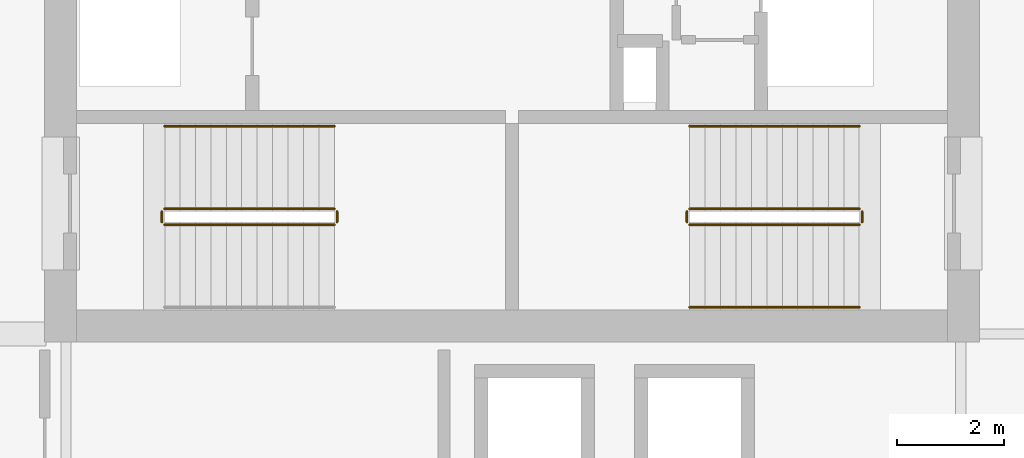
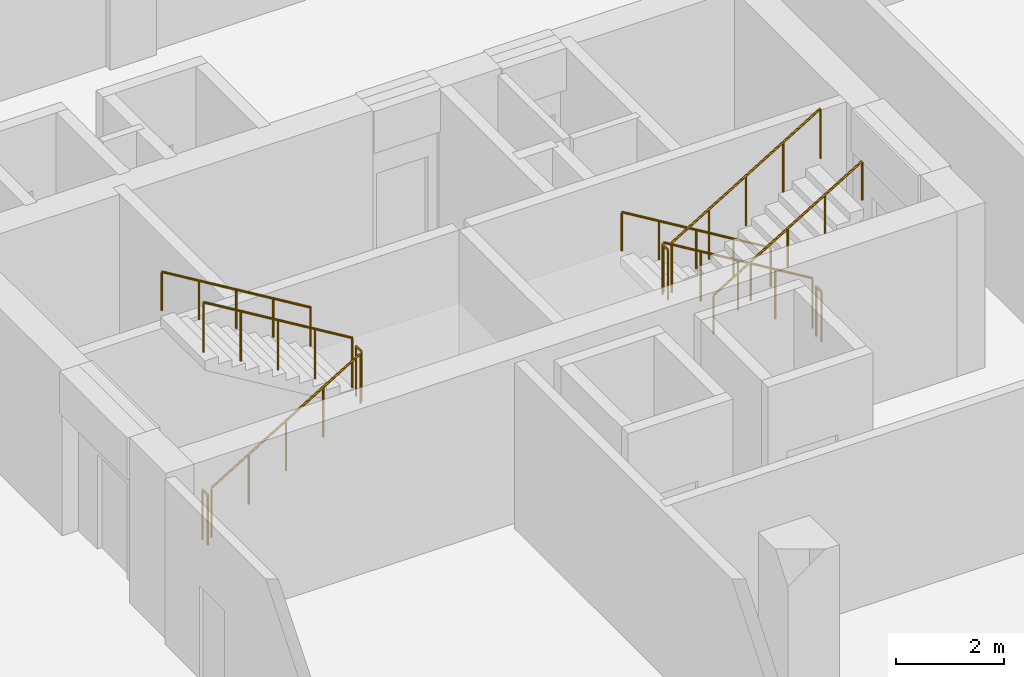
# One storey, part 19 of 21: 11 railings.
"""IFC4 building model written with IfcOpenShell, lengths in metres."""

import ifcopenshell
import ifcopenshell.guid

model = None  # the IFC model being written
_history = None  # IfcOwnerHistory: only IFC2X3 demands one
_inside = {}  # id of a spatial element -> (the spatial element, [elements in it])
_under = {}  # id of a project, library or spatial element -> (it, [spatial elements below it])
_declared = {}  # id of a project -> (the project, [libraries it declares])
_typed = {}  # id of a type object -> (the type object, [elements of that type])
_made_of = {}  # id of a material, layer set ... -> (it, [elements and type objects made of it])


def new_model(schema):
    """Start an empty IFC model of exactly this schema.

    Asked for "IFC4X3", IfcOpenShell would pick the latest addendum, in which some entities
    have other attributes; the version numbers below select the first issue.
    IFC2X3 requires an IfcOwnerHistory on every rooted entity: one is made here for all.
    """
    global model, _history
    if schema == "IFC4X3":
        model = ifcopenshell.file(schema_version=(4, 3, 0, 0))
    else:
        model = ifcopenshell.file(schema=schema)
    _inside.clear()
    _under.clear()
    _declared.clear()
    _typed.clear()
    _made_of.clear()
    _history = None
    if model.schema == "IFC2X3":
        org = make("IfcOrganization", Name="unknown")
        user = make(
            "IfcPersonAndOrganization",
            ThePerson=make("IfcPerson", FamilyName="unknown"),
            TheOrganization=org,
        )
        app = make(
            "IfcApplication",
            ApplicationDeveloper=org,
            Version="unknown",
            ApplicationFullName="unknown",
            ApplicationIdentifier="unknown",
        )
        _history = make(
            "IfcOwnerHistory",
            OwningUser=user,
            OwningApplication=app,
            ChangeAction="ADDED",
            CreationDate=0,
        )
    return model


def make(cls, **values):
    """One entity of the class cls with the attributes given. An attribute that is None is left unset."""
    return model.create_entity(
        cls, **{name: value for name, value in values.items() if value is not None}
    )


def rooted(cls, **values):
    """An entity with a GlobalId (a new one), such as an element, a storey or a relation."""
    return make(cls, GlobalId=ifcopenshell.guid.new(), OwnerHistory=_history, **values)


def si_unit(unit_type, name, prefix=None):
    """IfcSIUnit, for example si_unit("LENGTHUNIT", "METRE", prefix="MILLI")."""
    return make("IfcSIUnit", UnitType=unit_type, Prefix=prefix, Name=name)


def assignment(units):
    """IfcUnitAssignment: the units of a project."""
    return None if units is None else make("IfcUnitAssignment", Units=units)


def point(xyz):
    """IfcCartesianPoint."""
    return None if xyz is None else make("IfcCartesianPoint", Coordinates=xyz)


def direction(xyz):
    """IfcDirection."""
    return None if xyz is None else make("IfcDirection", DirectionRatios=xyz)


def frame(location, z_axis=None, x_axis=None):
    """IfcAxis2Placement3D, a coordinate frame: its origin and axes. An axis left out is left unset."""
    return make(
        "IfcAxis2Placement3D",
        Location=point(location),
        Axis=direction(z_axis),
        RefDirection=direction(x_axis),
    )


def frame_2d(location, x_axis=None):
    """IfcAxis2Placement2D, a coordinate frame in the plane: its origin and x axis."""
    return make(
        "IfcAxis2Placement2D", Location=point(location), RefDirection=direction(x_axis)
    )


def origin():
    """The frame at (0, 0, 0) with its axes left unset."""
    return frame((0.0, 0.0, 0.0))


def origin_2d():
    """The frame at (0, 0) in the plane with its x axis left unset."""
    return frame_2d((0.0, 0.0))


def place(relative_to, where):
    """IfcLocalPlacement: puts the frame where relative to a parent placement (None: the world)."""
    return make(
        "IfcLocalPlacement", PlacementRelTo=relative_to, RelativePlacement=where
    )


def context(
    kind, dimensions, precision=None, world=None, true_north=None, identifier=None
):
    """IfcGeometricRepresentationContext, for example the 3D "Model" context."""
    return make(
        "IfcGeometricRepresentationContext",
        ContextIdentifier=identifier,
        ContextType=kind,
        CoordinateSpaceDimension=dimensions,
        Precision=precision,
        WorldCoordinateSystem=world,
        TrueNorth=true_north,
    )


def subcontext(parent, identifier, kind, view, scale=None):
    """IfcGeometricRepresentationSubContext, for example "Body" below "Model"."""
    return make(
        "IfcGeometricRepresentationSubContext",
        ContextIdentifier=identifier,
        ContextType=kind,
        ParentContext=parent,
        TargetScale=scale,
        TargetView=view,
    )


def project(units=None, contexts=None):
    """IfcProject with its units and contexts."""
    return rooted(
        "IfcProject",
        Name="project",
        RepresentationContexts=contexts,
        UnitsInContext=assignment(units),
    )


def spatial(cls, under=None, at=None, **own):
    """A site, building, storey or space (cls), placed at a placement, below another one or the project."""
    s = rooted(cls, ObjectPlacement=at, **own)
    if under is not None:
        _under.setdefault(under.id(), (under, []))[1].append(s)
    return s


def profile(cls, at=None, kind="AREA", **sizes):
    """A parametric profile (cls). Its sizes go by their IFC names, for example OverallWidth=200.0."""
    return make(cls, ProfileType=kind, Position=at, **sizes)


def circle(**sizes):
    """IfcCircleProfileDef."""
    return profile("IfcCircleProfileDef", **sizes)


def extrude(swept, where, along, depth):
    """IfcExtrudedAreaSolid: the profile swept, set in the frame where, extruded along a direction by depth."""
    return make(
        "IfcExtrudedAreaSolid",
        SweptArea=swept,
        Position=where,
        ExtrudedDirection=direction(along),
        Depth=depth,
    )


def shape(context_of_items, identifier, shape_type, items):
    """IfcShapeRepresentation: the items that make up one representation, for example the "Body"."""
    return make(
        "IfcShapeRepresentation",
        ContextOfItems=context_of_items,
        RepresentationIdentifier=identifier,
        RepresentationType=shape_type,
        Items=items,
    )


def material(Name=None, Category=None):
    """IfcMaterial."""
    return make("IfcMaterial", Name=Name, Category=Category)


def made_of(thing, what):
    """Note that an element or type object is made of a material, layer set ...; save() writes the relation."""
    if what is not None:
        _made_of.setdefault(what.id(), (what, []))[1].append(thing)
    return thing


def type_object(cls, material=None, **own):
    """A type object (cls), such as IfcWallType, which elements share."""
    return made_of(rooted(cls, **own), material)


def element(
    cls,
    number,
    at=None,
    inside=None,
    cuts=None,
    type_object=None,
    material=None,
    context=None,
    identifier="Body",
    shape_type=None,
    held_by="IfcProductDefinitionShape",
    body=None,
    shapes=None,
    **own,
):
    """One element of the class cls, such as IfcWall. Its Tag is "e" and its number.

    at: its placement. inside: the storey or other place that contains it. cuts: it is an
    opening in that element (IfcRelVoidsElement). A single representation is given by context,
    identifier, shape_type and body (its items); several are given by shapes. held_by: the class
    of the entity that holds the representations. save() writes the other relations.
    """
    e = rooted(cls, Tag="e%d" % number, ObjectPlacement=at, **own)
    if body is not None:
        shapes = [shape(context, identifier, shape_type, body)]
    if shapes is not None:
        e.Representation = make(held_by, Representations=shapes)
    if inside is not None:
        _inside.setdefault(inside.id(), (inside, []))[1].append(e)
    if cuts is not None:
        rooted(
            "IfcRelVoidsElement", RelatingBuildingElement=cuts, RelatedOpeningElement=e
        )
    if type_object is not None:
        _typed.setdefault(type_object.id(), (type_object, []))[1].append(e)
    return made_of(e, material)


def aggregate(whole, parts):
    """IfcRelAggregates: a whole, such as a stair, and the parts it consists of."""
    return rooted("IfcRelAggregates", RelatingObject=whole, RelatedObjects=parts)


def save(model, path):
    """Write the relations noted so far, then the file.

    IfcRelAggregates (storeys below a building ...), IfcRelContainedInSpatialStructure (elements
    in a storey), IfcRelDefinesByType, IfcRelAssociatesMaterial and IfcRelDeclares: one each for
    every whole, place, type object, material and project.
    """
    for whole, parts in _under.values():
        aggregate(whole, parts)
    for where, things in _inside.values():
        rooted(
            "IfcRelContainedInSpatialStructure",
            RelatedElements=things,
            RelatingStructure=where,
        )
    for kind, things in _typed.values():
        rooted("IfcRelDefinesByType", RelatedObjects=things, RelatingType=kind)
    for what, things in _made_of.values():
        rooted("IfcRelAssociatesMaterial", RelatedObjects=things, RelatingMaterial=what)
    for by, libraries in _declared.values():
        rooted("IfcRelDeclares", RelatingContext=by, RelatedDefinitions=libraries)
    model.write(path)


model = new_model("IFC4")

# Units and contexts
model_context = context("Model", 3, precision=1e-05, world=origin(), true_north=direction((0.0, 1.0)))
body_context = subcontext(model_context, "Body", "Model", "MODEL_VIEW")
ifc_project = project(units=[si_unit("LENGTHUNIT", "METRE"), si_unit("AREAUNIT", "SQUARE_METRE"), si_unit("VOLUMEUNIT", "CUBIC_METRE"), si_unit("PLANEANGLEUNIT", "RADIAN"), si_unit("MASSUNIT", "GRAM", prefix="KILO")], contexts=[model_context])

# Site, building, storey
site_placement = place(None, origin())
site = spatial("IfcSite", under=ifc_project, at=site_placement, CompositionType="ELEMENT")
building_placement = place(site_placement, origin())
building = spatial("IfcBuilding", under=site, at=building_placement, Name="Koriwani Terraces Tower", CompositionType="ELEMENT")
storey_placement = place(building_placement, frame((0.0, 0.0, 224.0)))
storey = spatial("IfcBuildingStorey", under=building, at=storey_placement, Name="L55", CompositionType="ELEMENT", Elevation=224.0)

# Railings
ifc_material = material(Name="Steel ASTM A572 Grade 50", Category="steel")
railing_type_1 = type_object("IfcRailingType", Name="GUARD_STAIR_WELL_1120", PredefinedType="GUARDRAIL", material=ifc_material)
railing_1_placement = place(storey_placement, frame((43.85009765625, 18.85009765625, 0.175048828125)))
element("IfcRailing", 1, at=railing_1_placement, inside=storey, type_object=railing_type_1, Name="L55 ST-E1 stair guard 1", PredefinedType="GUARDRAIL", context=body_context, shape_type="SweptSolid", body=[
    extrude(circle(Radius=0.02392578125, at=origin_2d()), frame((0.0, 0.0, 1.1259765625), z_axis=(0.856177665481, 0.0, 0.516681531633), x_axis=(0.0, 1.0, 0.0)), (0.0, 0.0, 1.0), 3.725830078125),
    extrude(circle(Radius=0.02099609375, at=origin_2d()), origin(), (0.0, 0.0, 1.0), 1.101806640625),
    extrude(circle(Radius=0.02099609375, at=origin_2d()), frame((0.79736328125, 0.0, 0.481201171875)), (0.0, 0.0, 1.0), 1.101806640625),
    extrude(circle(Radius=0.02099609375, at=origin_2d()), frame((1.594970703125, 0.0, 0.96240234375)), (0.0, 0.0, 1.0), 1.101806640625),
    extrude(circle(Radius=0.02099609375, at=origin_2d()), frame((2.392578125, 0.0, 1.44384765625)), (0.0, 0.0, 1.0), 1.101806640625),
    extrude(circle(Radius=0.02099609375, at=origin_2d()), frame((3.18994140625, 0.0, 1.925048828125)), (0.0, 0.0, 1.0), 1.101806640625),
])
railing_2_placement = place(storey_placement, frame((47.090087890625, 18.89990234375, 2.10009765625)))
element("IfcRailing", 2, at=railing_2_placement, inside=storey, type_object=railing_type_1, Name="L55 ST-E1 stair guard 2", PredefinedType="GUARDRAIL", context=body_context, shape_type="SweptSolid", body=[
    extrude(circle(Radius=0.02392578125, at=origin_2d()), frame((0.0, 0.0, 1.1259765625), z_axis=(0.0, 1.0, 0.0), x_axis=(-1.0, 0.0, 0.0)), (0.0, 0.0, 1.0), 0.2001953125),
    extrude(circle(Radius=0.02099609375, at=origin_2d()), origin(), (0.0, 0.0, 1.0), 1.101806640625),
    extrude(circle(Radius=0.02099609375, at=origin_2d()), frame((0.0, 0.2001953125, 0.0)), (0.0, 0.0, 1.0), 1.101806640625),
])
railing_3_placement = place(storey_placement, frame((47.0400390625, 19.14990234375, 2.27490234375)))
element("IfcRailing", 3, at=railing_3_placement, inside=storey, type_object=railing_type_1, Name="L55 ST-E1 stair guard 3", PredefinedType="GUARDRAIL", context=body_context, shape_type="SweptSolid", body=[
    extrude(circle(Radius=0.02392578125, at=origin_2d()), frame((0.0, 0.0, 1.1259765625), z_axis=(-0.856177665481, 0.0, 0.516681531633), x_axis=(0.0, -1.0, 0.0)), (0.0, 0.0, 1.0), 3.725830078125),
    extrude(circle(Radius=0.02099609375, at=origin_2d()), origin(), (0.0, 0.0, 1.0), 1.101806640625),
    extrude(circle(Radius=0.02099609375, at=origin_2d()), frame((-0.79736328125, 0.0, 0.481201171875)), (0.0, 0.0, 1.0), 1.101806640625),
    extrude(circle(Radius=0.02099609375, at=origin_2d()), frame((-1.594970703125, 0.0, 0.96240234375)), (0.0, 0.0, 1.0), 1.101806640625),
    extrude(circle(Radius=0.02099609375, at=origin_2d()), frame((-2.392578125, 0.0, 1.44384765625)), (0.0, 0.0, 1.0), 1.101806640625),
    extrude(circle(Radius=0.02099609375, at=origin_2d()), frame((-3.18994140625, 0.0, 1.925048828125)), (0.0, 0.0, 1.0), 1.101806640625),
])
railing_4_placement = place(storey_placement, frame((43.800048828125, 18.89990234375, 0.0)))
element("IfcRailing", 4, at=railing_4_placement, inside=storey, type_object=railing_type_1, Name="L55 ST-E1 stair guard 4", PredefinedType="GUARDRAIL", context=body_context, shape_type="SweptSolid", body=[
    extrude(circle(Radius=0.02392578125, at=origin_2d()), frame((0.0, 0.0, 1.1259765625), z_axis=(0.0, 1.0, 0.0), x_axis=(-1.0, 0.0, 0.0)), (0.0, 0.0, 1.0), 0.2001953125),
    extrude(circle(Radius=0.02099609375, at=origin_2d()), origin(), (0.0, 0.0, 1.0), 1.101806640625),
    extrude(circle(Radius=0.02099609375, at=origin_2d()), frame((0.0, 0.2001953125, 0.0)), (0.0, 0.0, 1.0), 1.101806640625),
])
railing_5_placement = place(storey_placement, frame((56.89990234375, 19.14990234375, 0.175048828125)))
element("IfcRailing", 5, at=railing_5_placement, inside=storey, type_object=railing_type_1, Name="L55 ST-E2 stair guard 1", PredefinedType="GUARDRAIL", context=body_context, shape_type="SweptSolid", body=[
    extrude(circle(Radius=0.02392578125, at=origin_2d()), frame((0.0, 0.0, 1.1259765625), z_axis=(-0.856177665481, 0.0, 0.516681531633), x_axis=(0.0, -1.0, 0.0)), (0.0, 0.0, 1.0), 3.725830078125),
    extrude(circle(Radius=0.02099609375, at=origin_2d()), origin(), (0.0, 0.0, 1.0), 1.101806640625),
    extrude(circle(Radius=0.02099609375, at=origin_2d()), frame((-0.79736328125, 0.0, 0.481201171875)), (0.0, 0.0, 1.0), 1.101806640625),
    extrude(circle(Radius=0.02099609375, at=origin_2d()), frame((-1.594970703125, 0.0, 0.96240234375)), (0.0, 0.0, 1.0), 1.101806640625),
    extrude(circle(Radius=0.02099609375, at=origin_2d()), frame((-2.392578125, 0.0, 1.44384765625)), (0.0, 0.0, 1.0), 1.101806640625),
    extrude(circle(Radius=0.02099609375, at=origin_2d()), frame((-3.18994140625, 0.0, 1.925048828125)), (0.0, 0.0, 1.0), 1.101806640625),
])
railing_6_placement = place(storey_placement, frame((53.659912109375, 19.10009765625, 2.10009765625)))
element("IfcRailing", 6, at=railing_6_placement, inside=storey, type_object=railing_type_1, Name="L55 ST-E2 stair guard 2", PredefinedType="GUARDRAIL", context=body_context, shape_type="SweptSolid", body=[
    extrude(circle(Radius=0.02392578125, at=origin_2d()), frame((0.0, 0.0, 1.1259765625), z_axis=(0.0, -1.0, 0.0), x_axis=(1.0, 0.0, 0.0)), (0.0, 0.0, 1.0), 0.2001953125),
    extrude(circle(Radius=0.02099609375, at=origin_2d()), origin(), (0.0, 0.0, 1.0), 1.101806640625),
    extrude(circle(Radius=0.02099609375, at=origin_2d()), frame((0.0, -0.2001953125, 0.0)), (0.0, 0.0, 1.0), 1.101806640625),
])
railing_7_placement = place(storey_placement, frame((53.7099609375, 18.85009765625, 2.27490234375)))
element("IfcRailing", 7, at=railing_7_placement, inside=storey, type_object=railing_type_1, Name="L55 ST-E2 stair guard 3", PredefinedType="GUARDRAIL", context=body_context, shape_type="SweptSolid", body=[
    extrude(circle(Radius=0.02392578125, at=origin_2d()), frame((0.0, 0.0, 1.1259765625), z_axis=(0.856177665481, 0.0, 0.516681531633), x_axis=(0.0, 1.0, 0.0)), (0.0, 0.0, 1.0), 3.725830078125),
    extrude(circle(Radius=0.02099609375, at=origin_2d()), origin(), (0.0, 0.0, 1.0), 1.101806640625),
    extrude(circle(Radius=0.02099609375, at=origin_2d()), frame((0.79736328125, 0.0, 0.481201171875)), (0.0, 0.0, 1.0), 1.101806640625),
    extrude(circle(Radius=0.02099609375, at=origin_2d()), frame((1.594970703125, 0.0, 0.96240234375)), (0.0, 0.0, 1.0), 1.101806640625),
    extrude(circle(Radius=0.02099609375, at=origin_2d()), frame((2.392578125, 0.0, 1.44384765625)), (0.0, 0.0, 1.0), 1.101806640625),
    extrude(circle(Radius=0.02099609375, at=origin_2d()), frame((3.18994140625, 0.0, 1.925048828125)), (0.0, 0.0, 1.0), 1.101806640625),
])
railing_8_placement = place(storey_placement, frame((56.949951171875, 19.10009765625, 0.0)))
element("IfcRailing", 8, at=railing_8_placement, inside=storey, type_object=railing_type_1, Name="L55 ST-E2 stair guard 4", PredefinedType="GUARDRAIL", context=body_context, shape_type="SweptSolid", body=[
    extrude(circle(Radius=0.02392578125, at=origin_2d()), frame((0.0, 0.0, 1.1259765625), z_axis=(0.0, -1.0, 0.0), x_axis=(1.0, 0.0, 0.0)), (0.0, 0.0, 1.0), 0.2001953125),
    extrude(circle(Radius=0.02099609375, at=origin_2d()), origin(), (0.0, 0.0, 1.0), 1.101806640625),
    extrude(circle(Radius=0.02099609375, at=origin_2d()), frame((0.0, -0.2001953125, 0.0)), (0.0, 0.0, 1.0), 1.101806640625),
])
railing_type_2 = type_object("IfcRailingType", Name="HANDRAIL_STAIR_920", PredefinedType="HANDRAIL", material=ifc_material)
for number, where, name in (
    (9, (47.0400390625, 20.699951171875, 2.27490234375), "L55 ST-E1 stair handrail 2"),
    (10, (56.89990234375, 20.699951171875, 0.175048828125), "L55 ST-E2 stair handrail 1"),
):
    element("IfcRailing", number, at=place(storey_placement, frame(where)), inside=storey, type_object=railing_type_2, Name=name, PredefinedType="HANDRAIL", context=body_context, shape_type="SweptSolid", body=[
        extrude(circle(Radius=0.02392578125, at=origin_2d()), frame((0.0, 0.0, 0.8759765625), z_axis=(-0.856177665481, 0.0, 0.516681531633), x_axis=(0.0, -1.0, 0.0)), (0.0, 0.0, 1.0), 3.725830078125),
        extrude(circle(Radius=0.02099609375, at=origin_2d()), origin(), (0.0, 0.0, 1.0), 0.851806640625),
        extrude(circle(Radius=0.02099609375, at=origin_2d()), frame((-0.79736328125, 0.0, 0.481201171875)), (0.0, 0.0, 1.0), 0.851806640625),
        extrude(circle(Radius=0.02099609375, at=origin_2d()), frame((-1.594970703125, 0.0, 0.96240234375)), (0.0, 0.0, 1.0), 0.851806640625),
        extrude(circle(Radius=0.02099609375, at=origin_2d()), frame((-2.392578125, 0.0, 1.44384765625)), (0.0, 0.0, 1.0), 0.851806640625),
        extrude(circle(Radius=0.02099609375, at=origin_2d()), frame((-3.18994140625, 0.0, 1.925048828125)), (0.0, 0.0, 1.0), 0.851806640625),
    ])
railing_9_placement = place(storey_placement, frame((53.7099609375, 17.300048828125, 2.27490234375)))
element("IfcRailing", 11, at=railing_9_placement, inside=storey, type_object=railing_type_2, Name="L55 ST-E2 stair handrail 2", PredefinedType="HANDRAIL", context=body_context, shape_type="SweptSolid", body=[
    extrude(circle(Radius=0.02392578125, at=origin_2d()), frame((0.0, 0.0, 0.8759765625), z_axis=(0.856177665481, 0.0, 0.516681531633), x_axis=(0.0, 1.0, 0.0)), (0.0, 0.0, 1.0), 3.725830078125),
    extrude(circle(Radius=0.02099609375, at=origin_2d()), origin(), (0.0, 0.0, 1.0), 0.851806640625),
    extrude(circle(Radius=0.02099609375, at=origin_2d()), frame((0.79736328125, 0.0, 0.481201171875)), (0.0, 0.0, 1.0), 0.851806640625),
    extrude(circle(Radius=0.02099609375, at=origin_2d()), frame((1.594970703125, 0.0, 0.96240234375)), (0.0, 0.0, 1.0), 0.851806640625),
    extrude(circle(Radius=0.02099609375, at=origin_2d()), frame((2.392578125, 0.0, 1.44384765625)), (0.0, 0.0, 1.0), 0.851806640625),
    extrude(circle(Radius=0.02099609375, at=origin_2d()), frame((3.18994140625, 0.0, 1.925048828125)), (0.0, 0.0, 1.0), 0.851806640625),
])

save(model, "model.ifc")
